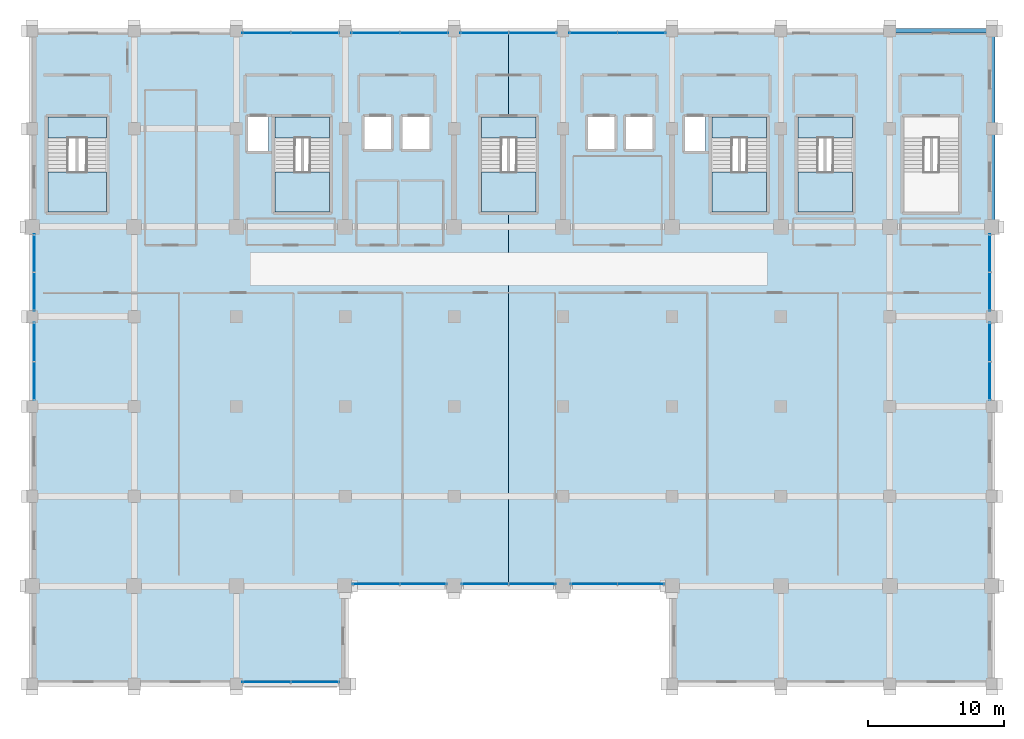
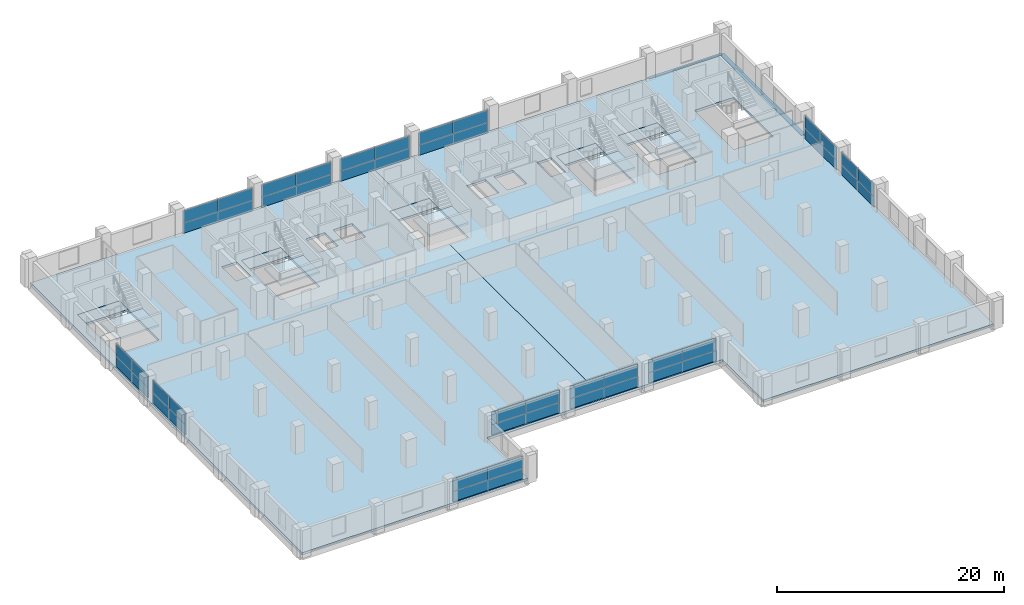
# One storey, part 15 of 22: 36 plates, 12 slabs, 3 beams, 17 elements without a shape of their own.
"""IFC4 building model written with IfcOpenShell, lengths in metres."""

from ifc_helpers import new_model, si_unit, direction, frame, origin, origin_2d, place, context, subcontext, project, spatial, polyline, rectangle, outline, extrude, material, layer, layer_set, material_profile, profile_set, type_object, element, aggregate, save


model = new_model("IFC4")

# Units and contexts
model_context = context("Model", 3, precision=1e-05, world=origin(), true_north=direction((0.0, 1.0)))
body_context = subcontext(model_context, "Body", "Model", "MODEL_VIEW")
ifc_project = project(units=[si_unit("LENGTHUNIT", "METRE"), si_unit("AREAUNIT", "SQUARE_METRE"), si_unit("VOLUMEUNIT", "CUBIC_METRE"), si_unit("PLANEANGLEUNIT", "RADIAN"), si_unit("MASSUNIT", "GRAM", prefix="KILO")], contexts=[model_context])

# Site, building, storey
site_placement = place(None, origin())
site = spatial("IfcSite", under=ifc_project, at=site_placement, CompositionType="ELEMENT")
building_placement = place(site_placement, origin())
building = spatial("IfcBuilding", under=site, at=building_placement, Name="Akrevak Sports Hall", CompositionType="ELEMENT")
storey_placement = place(building_placement, frame((0.0, 0.0, 30.800048828125)))
storey = spatial("IfcBuildingStorey", under=building, at=storey_placement, Name="L06", CompositionType="ELEMENT", Elevation=30.800048828125)

# Beams
ifc_material_1 = material(Name="Concrete C40/50", Category="concrete")
ifc_material_profile_1 = material_profile(ifc_material_1, rectangle(XDim=0.449951171875, YDim=0.699951171875, at=origin_2d()), Name="BM 450x700", Category="concrete")
ifc_profile_set_1 = profile_set([ifc_material_profile_1], Name="Concrete C40/50")
beam_type_1 = type_object("IfcBeamType", Name="STR-BM-RC450x700", PredefinedType="BEAM", material=ifc_profile_set_1)
beam_1_placement = place(storey_placement, frame((115.5, 55.199951171875, -0.35009765625), z_axis=(0.0, 1.0, 0.0), x_axis=(-1.0, 0.0, 0.0)))
element("IfcBeam", 1, at=beam_1_placement, inside=storey, type_object=beam_type_1, Name="Girder 16/I-J (L06)", PredefinedType="BEAM", context=body_context, shape_type="SweptSolid", body=[
    extrude(rectangle(XDim=0.449951171875, YDim=0.699951171875, at=origin_2d()), origin(), (0.0, 0.0, 1.0), 7.199951171875),
])
beam_2_placement = place(storey_placement, frame((115.5, 62.39990234375, -0.35009765625), z_axis=(0.0, 1.0, 0.0), x_axis=(-1.0, 0.0, 0.0)))
element("IfcBeam", 2, at=beam_2_placement, inside=storey, type_object=beam_type_1, Name="Girder 16/J-K (L06)", PredefinedType="BEAM", context=body_context, shape_type="SweptSolid", body=[
    extrude(rectangle(XDim=0.449951171875, YDim=0.699951171875, at=origin_2d()), origin(), (0.0, 0.0, 1.0), 7.2001953125),
])
ifc_material_profile_2 = material_profile(ifc_material_1, rectangle(XDim=0.320068359375, YDim=0.679931640625, at=origin_2d()), Name="SPD 320x680", Category="concrete")
ifc_profile_set_2 = profile_set([ifc_material_profile_2], Name="Concrete C40/50")
beam_type_2 = type_object("IfcBeamType", Name="STR-SPD-RC320x680", PredefinedType="SPANDREL", material=ifc_profile_set_2)
beam_3_placement = place(storey_placement, frame((108.0, 69.60009765625, -0.340087890625), z_axis=(1.0, 0.0, 0.0), x_axis=(0.0, 1.0, 0.0)))
element("IfcBeam", 3, at=beam_3_placement, inside=storey, type_object=beam_type_2, Name="Girder K/15-16 (L06)", PredefinedType="SPANDREL", context=body_context, shape_type="SweptSolid", body=[
    extrude(rectangle(XDim=0.320068359375, YDim=0.679931640625, at=origin_2d()), origin(), (0.0, 0.0, 1.0), 7.5),
])

# Curtain wall, plates
ifc_material_2 = material(Name="Anodized Bronze Aluminium & Low-E Glass", Category="aluminium")
curtain_wall_type = type_object("IfcCurtainWallType", Name="ARC-CW-TWR-64x30", PredefinedType="NOTDEFINED", material=ifc_material_2)
curtain_wall_1_placement = place(storey_placement, origin())
curtain_wall_1 = element("IfcCurtainWall", 4, at=curtain_wall_1_placement, inside=storey, type_object=curtain_wall_type, Name="Curtain Wall CW-L06-S03", PredefinedType="NOTDEFINED")
ifc_material_3 = material(Name="Double Low-E Tempered Glass", Category="glass")
ifc_layer_1 = layer(ifc_material_3, 0.031982421875, Name="Double Low-E Tempered Glass")
ifc_layer_set_1 = layer_set([ifc_layer_1], Name="Double Low-E Tempered Glass")
plate_type_1 = type_object("IfcPlateType", Name="ARC-CWP-GLZ-32", PredefinedType="CURTAIN_PANEL", material=ifc_layer_set_1)
plate_1_placement = place(storey_placement, frame((62.22509765625, 21.760009765625, 1.099853515625), z_axis=(0.0, 0.0, 1.0), x_axis=(1.0, 0.0, 0.0)))
plate_1 = element("IfcPlate", 5, at=plate_1_placement, type_object=plate_type_1, Name="Vision Glass Panel CW-L06-S03-G1", PredefinedType="CURTAIN_PANEL", context=body_context, shape_type="SweptSolid", body=[
    extrude(rectangle(XDim=3.550048828125, YDim=0.035888671875, at=origin_2d()), origin(), (0.0, 0.0, 1.0), 1.35009765625),
])
plate_2_placement = place(storey_placement, frame((65.77490234375, 21.760009765625, 1.099853515625), z_axis=(0.0, 0.0, 1.0), x_axis=(1.0, 0.0, 0.0)))
plate_2 = element("IfcPlate", 6, at=plate_2_placement, type_object=plate_type_1, Name="Vision Glass Panel CW-L06-S03-G2", PredefinedType="CURTAIN_PANEL", context=body_context, shape_type="SweptSolid", body=[
    extrude(rectangle(XDim=3.550048828125, YDim=0.035888671875, at=origin_2d()), origin(), (0.0, 0.0, 1.0), 1.35009765625),
])

curtain_wall_2_placement = place(storey_placement, origin())
curtain_wall_2 = element("IfcCurtainWall", 7, at=curtain_wall_2_placement, inside=storey, type_object=curtain_wall_type, Name="Curtain Wall CW-L06-S05", PredefinedType="NOTDEFINED")
plate_3_placement = place(storey_placement, frame((70.27490234375, 28.9599609375, 1.099853515625), z_axis=(0.0, 0.0, 1.0), x_axis=(1.0, 0.0, 0.0)))
plate_3 = element("IfcPlate", 8, at=plate_3_placement, type_object=plate_type_1, Name="Vision Glass Panel CW-L06-S05-G1", PredefinedType="CURTAIN_PANEL", context=body_context, shape_type="SweptSolid", body=[
    extrude(rectangle(XDim=3.449951171875, YDim=0.035888671875, at=origin_2d()), origin(), (0.0, 0.0, 1.0), 1.35009765625),
])
plate_4_placement = place(storey_placement, frame((73.72509765625, 28.9599609375, 1.099853515625), z_axis=(0.0, 0.0, 1.0), x_axis=(1.0, 0.0, 0.0)))
plate_4 = element("IfcPlate", 9, at=plate_4_placement, type_object=plate_type_1, Name="Vision Glass Panel CW-L06-S05-G2", PredefinedType="CURTAIN_PANEL", context=body_context, shape_type="SweptSolid", body=[
    extrude(rectangle(XDim=3.449951171875, YDim=0.035888671875, at=origin_2d()), origin(), (0.0, 0.0, 1.0), 1.35009765625),
])

curtain_wall_3_placement = place(storey_placement, origin())
curtain_wall_3 = element("IfcCurtainWall", 10, at=curtain_wall_3_placement, inside=storey, type_object=curtain_wall_type, Name="Curtain Wall CW-L06-S06", PredefinedType="NOTDEFINED")
plate_5_placement = place(storey_placement, frame((78.27490234375, 28.9599609375, 1.099853515625), z_axis=(0.0, 0.0, 1.0), x_axis=(1.0, 0.0, 0.0)))
plate_5 = element("IfcPlate", 11, at=plate_5_placement, type_object=plate_type_1, Name="Vision Glass Panel CW-L06-S06-G1", PredefinedType="CURTAIN_PANEL", context=body_context, shape_type="SweptSolid", body=[
    extrude(rectangle(XDim=3.449951171875, YDim=0.035888671875, at=origin_2d()), origin(), (0.0, 0.0, 1.0), 1.35009765625),
])
plate_6_placement = place(storey_placement, frame((81.72509765625, 28.9599609375, 1.099853515625), z_axis=(0.0, 0.0, 1.0), x_axis=(1.0, 0.0, 0.0)))
plate_6 = element("IfcPlate", 12, at=plate_6_placement, type_object=plate_type_1, Name="Vision Glass Panel CW-L06-S06-G2", PredefinedType="CURTAIN_PANEL", context=body_context, shape_type="SweptSolid", body=[
    extrude(rectangle(XDim=3.449951171875, YDim=0.035888671875, at=origin_2d()), origin(), (0.0, 0.0, 1.0), 1.35009765625),
])

curtain_wall_4_placement = place(storey_placement, origin())
curtain_wall_4 = element("IfcCurtainWall", 13, at=curtain_wall_4_placement, inside=storey, type_object=curtain_wall_type, Name="Curtain Wall CW-L06-S07", PredefinedType="NOTDEFINED")
plate_7_placement = place(storey_placement, frame((86.27490234375, 28.9599609375, 1.099853515625), z_axis=(0.0, 0.0, 1.0), x_axis=(1.0, 0.0, 0.0)))
plate_7 = element("IfcPlate", 14, at=plate_7_placement, type_object=plate_type_1, Name="Vision Glass Panel CW-L06-S07-G1", PredefinedType="CURTAIN_PANEL", context=body_context, shape_type="SweptSolid", body=[
    extrude(rectangle(XDim=3.449951171875, YDim=0.035888671875, at=origin_2d()), origin(), (0.0, 0.0, 1.0), 1.35009765625),
])
plate_8_placement = place(storey_placement, frame((89.72509765625, 28.9599609375, 1.099853515625), z_axis=(0.0, 0.0, 1.0), x_axis=(1.0, 0.0, 0.0)))
plate_8 = element("IfcPlate", 15, at=plate_8_placement, type_object=plate_type_1, Name="Vision Glass Panel CW-L06-S07-G2", PredefinedType="CURTAIN_PANEL", context=body_context, shape_type="SweptSolid", body=[
    extrude(rectangle(XDim=3.449951171875, YDim=0.035888671875, at=origin_2d()), origin(), (0.0, 0.0, 1.0), 1.35009765625),
])

curtain_wall_5_placement = place(storey_placement, origin())
curtain_wall_5 = element("IfcCurtainWall", 16, at=curtain_wall_5_placement, inside=storey, type_object=curtain_wall_type, Name="Curtain Wall CW-L06-E15", PredefinedType="NOTDEFINED")
plate_9_placement = place(storey_placement, frame((115.340087890625, 43.875, 1.099853515625), z_axis=(0.0, 0.0, 1.0), x_axis=(0.0, 1.0, 0.0)))
plate_9 = element("IfcPlate", 17, at=plate_9_placement, type_object=plate_type_1, Name="Vision Glass Panel CW-L06-E15-G1", PredefinedType="CURTAIN_PANEL", context=body_context, shape_type="SweptSolid", body=[
    extrude(rectangle(XDim=2.85009765625, YDim=0.035888671875, at=origin_2d()), origin(), (0.0, 0.0, 1.0), 1.35009765625),
])
plate_10_placement = place(storey_placement, frame((115.340087890625, 46.72509765625, 1.099853515625), z_axis=(0.0, 0.0, 1.0), x_axis=(0.0, 1.0, 0.0)))
plate_10 = element("IfcPlate", 18, at=plate_10_placement, type_object=plate_type_1, Name="Vision Glass Panel CW-L06-E15-G2", PredefinedType="CURTAIN_PANEL", context=body_context, shape_type="SweptSolid", body=[
    extrude(rectangle(XDim=2.85009765625, YDim=0.035888671875, at=origin_2d()), origin(), (0.0, 0.0, 1.0), 1.35009765625),
])

curtain_wall_6_placement = place(storey_placement, origin())
curtain_wall_6 = element("IfcCurtainWall", 19, at=curtain_wall_6_placement, inside=storey, type_object=curtain_wall_type, Name="Curtain Wall CW-L06-E16", PredefinedType="NOTDEFINED")
plate_11_placement = place(storey_placement, frame((115.340087890625, 50.449951171875, 1.099853515625), z_axis=(0.0, 0.0, 1.0), x_axis=(0.0, 1.0, 0.0)))
plate_11 = element("IfcPlate", 20, at=plate_11_placement, type_object=plate_type_1, Name="Vision Glass Panel CW-L06-E16-G1", PredefinedType="CURTAIN_PANEL", context=body_context, shape_type="SweptSolid", body=[
    extrude(rectangle(XDim=2.800048828125, YDim=0.035888671875, at=origin_2d()), origin(), (0.0, 0.0, 1.0), 1.35009765625),
])
plate_12_placement = place(storey_placement, frame((115.340087890625, 53.25, 1.099853515625), z_axis=(0.0, 0.0, 1.0), x_axis=(0.0, 1.0, 0.0)))
plate_12 = element("IfcPlate", 21, at=plate_12_placement, type_object=plate_type_1, Name="Vision Glass Panel CW-L06-E16-G2", PredefinedType="CURTAIN_PANEL", context=body_context, shape_type="SweptSolid", body=[
    extrude(rectangle(XDim=2.800048828125, YDim=0.035888671875, at=origin_2d()), origin(), (0.0, 0.0, 1.0), 1.35009765625),
])

curtain_wall_7_placement = place(storey_placement, origin())
curtain_wall_7 = element("IfcCurtainWall", 22, at=curtain_wall_7_placement, inside=storey, type_object=curtain_wall_type, Name="Curtain Wall CW-L06-N22", PredefinedType="NOTDEFINED")
plate_13_placement = place(storey_placement, frame((89.77490234375, 69.43994140625, 1.099853515625), z_axis=(0.0, 0.0, 1.0), x_axis=(-1.0, 0.0, 0.0)))
plate_13 = element("IfcPlate", 23, at=plate_13_placement, type_object=plate_type_1, Name="Vision Glass Panel CW-L06-N22-G1", PredefinedType="CURTAIN_PANEL", context=body_context, shape_type="SweptSolid", body=[
    extrude(rectangle(XDim=3.550048828125, YDim=0.035888671875, at=origin_2d()), origin(), (0.0, 0.0, 1.0), 1.35009765625),
])
plate_14_placement = place(storey_placement, frame((86.22509765625, 69.43994140625, 1.099853515625), z_axis=(0.0, 0.0, 1.0), x_axis=(-1.0, 0.0, 0.0)))
plate_14 = element("IfcPlate", 24, at=plate_14_placement, type_object=plate_type_1, Name="Vision Glass Panel CW-L06-N22-G2", PredefinedType="CURTAIN_PANEL", context=body_context, shape_type="SweptSolid", body=[
    extrude(rectangle(XDim=3.550048828125, YDim=0.035888671875, at=origin_2d()), origin(), (0.0, 0.0, 1.0), 1.35009765625),
])

curtain_wall_8_placement = place(storey_placement, origin())
curtain_wall_8 = element("IfcCurtainWall", 25, at=curtain_wall_8_placement, inside=storey, type_object=curtain_wall_type, Name="Curtain Wall CW-L06-N23", PredefinedType="NOTDEFINED")
plate_15_placement = place(storey_placement, frame((81.77490234375, 69.43994140625, 1.099853515625), z_axis=(0.0, 0.0, 1.0), x_axis=(-1.0, 0.0, 0.0)))
plate_15 = element("IfcPlate", 26, at=plate_15_placement, type_object=plate_type_1, Name="Vision Glass Panel CW-L06-N23-G1", PredefinedType="CURTAIN_PANEL", context=body_context, shape_type="SweptSolid", body=[
    extrude(rectangle(XDim=3.550048828125, YDim=0.035888671875, at=origin_2d()), origin(), (0.0, 0.0, 1.0), 1.35009765625),
])
plate_16_placement = place(storey_placement, frame((78.22509765625, 69.43994140625, 1.099853515625), z_axis=(0.0, 0.0, 1.0), x_axis=(-1.0, 0.0, 0.0)))
plate_16 = element("IfcPlate", 27, at=plate_16_placement, type_object=plate_type_1, Name="Vision Glass Panel CW-L06-N23-G2", PredefinedType="CURTAIN_PANEL", context=body_context, shape_type="SweptSolid", body=[
    extrude(rectangle(XDim=3.550048828125, YDim=0.035888671875, at=origin_2d()), origin(), (0.0, 0.0, 1.0), 1.35009765625),
])

curtain_wall_9_placement = place(storey_placement, origin())
curtain_wall_9 = element("IfcCurtainWall", 28, at=curtain_wall_9_placement, inside=storey, type_object=curtain_wall_type, Name="Curtain Wall CW-L06-N24", PredefinedType="NOTDEFINED")
plate_17_placement = place(storey_placement, frame((73.77490234375, 69.43994140625, 1.099853515625), z_axis=(0.0, 0.0, 1.0), x_axis=(-1.0, 0.0, 0.0)))
plate_17 = element("IfcPlate", 29, at=plate_17_placement, type_object=plate_type_1, Name="Vision Glass Panel CW-L06-N24-G1", PredefinedType="CURTAIN_PANEL", context=body_context, shape_type="SweptSolid", body=[
    extrude(rectangle(XDim=3.550048828125, YDim=0.035888671875, at=origin_2d()), origin(), (0.0, 0.0, 1.0), 1.35009765625),
])
plate_18_placement = place(storey_placement, frame((70.22509765625, 69.43994140625, 1.099853515625), z_axis=(0.0, 0.0, 1.0), x_axis=(-1.0, 0.0, 0.0)))
plate_18 = element("IfcPlate", 30, at=plate_18_placement, type_object=plate_type_1, Name="Vision Glass Panel CW-L06-N24-G2", PredefinedType="CURTAIN_PANEL", context=body_context, shape_type="SweptSolid", body=[
    extrude(rectangle(XDim=3.550048828125, YDim=0.035888671875, at=origin_2d()), origin(), (0.0, 0.0, 1.0), 1.35009765625),
])

curtain_wall_10_placement = place(storey_placement, origin())
curtain_wall_10 = element("IfcCurtainWall", 31, at=curtain_wall_10_placement, inside=storey, type_object=curtain_wall_type, Name="Curtain Wall CW-L06-N25", PredefinedType="NOTDEFINED")
plate_19_placement = place(storey_placement, frame((65.77490234375, 69.43994140625, 1.099853515625), z_axis=(0.0, 0.0, 1.0), x_axis=(-1.0, 0.0, 0.0)))
plate_19 = element("IfcPlate", 32, at=plate_19_placement, type_object=plate_type_1, Name="Vision Glass Panel CW-L06-N25-G1", PredefinedType="CURTAIN_PANEL", context=body_context, shape_type="SweptSolid", body=[
    extrude(rectangle(XDim=3.550048828125, YDim=0.035888671875, at=origin_2d()), origin(), (0.0, 0.0, 1.0), 1.35009765625),
])
plate_20_placement = place(storey_placement, frame((62.22509765625, 69.43994140625, 1.099853515625), z_axis=(0.0, 0.0, 1.0), x_axis=(-1.0, 0.0, 0.0)))
plate_20 = element("IfcPlate", 33, at=plate_20_placement, type_object=plate_type_1, Name="Vision Glass Panel CW-L06-N25-G2", PredefinedType="CURTAIN_PANEL", context=body_context, shape_type="SweptSolid", body=[
    extrude(rectangle(XDim=3.550048828125, YDim=0.035888671875, at=origin_2d()), origin(), (0.0, 0.0, 1.0), 1.35009765625),
])

curtain_wall_11_placement = place(storey_placement, origin())
curtain_wall_11 = element("IfcCurtainWall", 34, at=curtain_wall_11_placement, inside=storey, type_object=curtain_wall_type, Name="Curtain Wall CW-L06-W30", PredefinedType="NOTDEFINED")
plate_21_placement = place(storey_placement, frame((45.159912109375, 53.25, 1.099853515625), z_axis=(0.0, 0.0, 1.0), x_axis=(0.0, -1.0, 0.0)))
plate_21 = element("IfcPlate", 35, at=plate_21_placement, type_object=plate_type_1, Name="Vision Glass Panel CW-L06-W30-G1", PredefinedType="CURTAIN_PANEL", context=body_context, shape_type="SweptSolid", body=[
    extrude(rectangle(XDim=2.800048828125, YDim=0.035888671875, at=origin_2d()), origin(), (0.0, 0.0, 1.0), 1.35009765625),
])
plate_22_placement = place(storey_placement, frame((45.159912109375, 50.449951171875, 1.099853515625), z_axis=(0.0, 0.0, 1.0), x_axis=(0.0, -1.0, 0.0)))
plate_22 = element("IfcPlate", 36, at=plate_22_placement, type_object=plate_type_1, Name="Vision Glass Panel CW-L06-W30-G2", PredefinedType="CURTAIN_PANEL", context=body_context, shape_type="SweptSolid", body=[
    extrude(rectangle(XDim=2.800048828125, YDim=0.035888671875, at=origin_2d()), origin(), (0.0, 0.0, 1.0), 1.35009765625),
])

curtain_wall_12_placement = place(storey_placement, origin())
curtain_wall_12 = element("IfcCurtainWall", 37, at=curtain_wall_12_placement, inside=storey, type_object=curtain_wall_type, Name="Curtain Wall CW-L06-W31", PredefinedType="NOTDEFINED")
plate_23_placement = place(storey_placement, frame((45.159912109375, 46.72509765625, 1.099853515625), z_axis=(0.0, 0.0, 1.0), x_axis=(0.0, -1.0, 0.0)))
plate_23 = element("IfcPlate", 38, at=plate_23_placement, type_object=plate_type_1, Name="Vision Glass Panel CW-L06-W31-G1", PredefinedType="CURTAIN_PANEL", context=body_context, shape_type="SweptSolid", body=[
    extrude(rectangle(XDim=2.85009765625, YDim=0.035888671875, at=origin_2d()), origin(), (0.0, 0.0, 1.0), 1.35009765625),
])
plate_24_placement = place(storey_placement, frame((45.159912109375, 43.875, 1.099853515625), z_axis=(0.0, 0.0, 1.0), x_axis=(0.0, -1.0, 0.0)))
plate_24 = element("IfcPlate", 39, at=plate_24_placement, type_object=plate_type_1, Name="Vision Glass Panel CW-L06-W31-G2", PredefinedType="CURTAIN_PANEL", context=body_context, shape_type="SweptSolid", body=[
    extrude(rectangle(XDim=2.85009765625, YDim=0.035888671875, at=origin_2d()), origin(), (0.0, 0.0, 1.0), 1.35009765625),
])

# Plate
ifc_material_4 = material(Name="Insulated Bronze Spandrel Panel", Category="aluminium")
ifc_layer_2 = layer(ifc_material_4, 0.0400390625, Name="Insulated Bronze Spandrel Panel")
ifc_layer_set_2 = layer_set([ifc_layer_2], Name="Insulated Bronze Spandrel Panel")
plate_type_2 = type_object("IfcPlateType", Name="ARC-CWP-SPD-40", PredefinedType="CURTAIN_PANEL", material=ifc_layer_set_2)
plate_25_placement = place(storey_placement, frame((64.0, 21.760009765625, 0.0), z_axis=(0.0, 0.0, 1.0), x_axis=(1.0, 0.0, 0.0)))
plate_25 = element("IfcPlate", 40, at=plate_25_placement, type_object=plate_type_2, Name="Insulated Spandrel Panel CW-L06-S03-S1", PredefinedType="CURTAIN_PANEL", context=body_context, shape_type="SweptSolid", body=[
    extrude(rectangle(XDim=7.10009765625, YDim=0.0439453125, at=origin_2d()), origin(), (0.0, 0.0, 1.0), 1.10009765625),
])

aggregate(curtain_wall_1, [plate_1, plate_2, plate_25])

plate_26_placement = place(storey_placement, frame((72.0, 28.9599609375, 0.0), z_axis=(0.0, 0.0, 1.0), x_axis=(1.0, 0.0, 0.0)))
plate_26 = element("IfcPlate", 41, at=plate_26_placement, type_object=plate_type_2, Name="Insulated Spandrel Panel CW-L06-S05-S1", PredefinedType="CURTAIN_PANEL", context=body_context, shape_type="SweptSolid", body=[
    extrude(rectangle(XDim=6.89990234375, YDim=0.0439453125, at=origin_2d()), origin(), (0.0, 0.0, 1.0), 1.10009765625),
])

aggregate(curtain_wall_2, [plate_3, plate_4, plate_26])

plate_27_placement = place(storey_placement, frame((80.0, 28.9599609375, 0.0), z_axis=(0.0, 0.0, 1.0), x_axis=(1.0, 0.0, 0.0)))
plate_27 = element("IfcPlate", 42, at=plate_27_placement, type_object=plate_type_2, Name="Insulated Spandrel Panel CW-L06-S06-S1", PredefinedType="CURTAIN_PANEL", context=body_context, shape_type="SweptSolid", body=[
    extrude(rectangle(XDim=6.89990234375, YDim=0.0439453125, at=origin_2d()), origin(), (0.0, 0.0, 1.0), 1.10009765625),
])

aggregate(curtain_wall_3, [plate_5, plate_6, plate_27])

plate_28_placement = place(storey_placement, frame((88.0, 28.9599609375, 0.0), z_axis=(0.0, 0.0, 1.0), x_axis=(1.0, 0.0, 0.0)))
plate_28 = element("IfcPlate", 43, at=plate_28_placement, type_object=plate_type_2, Name="Insulated Spandrel Panel CW-L06-S07-S1", PredefinedType="CURTAIN_PANEL", context=body_context, shape_type="SweptSolid", body=[
    extrude(rectangle(XDim=6.89990234375, YDim=0.0439453125, at=origin_2d()), origin(), (0.0, 0.0, 1.0), 1.10009765625),
])

aggregate(curtain_wall_4, [plate_7, plate_8, plate_28])

plate_29_placement = place(storey_placement, frame((115.340087890625, 45.300048828125, 0.0), z_axis=(0.0, 0.0, 1.0), x_axis=(0.0, 1.0, 0.0)))
plate_29 = element("IfcPlate", 44, at=plate_29_placement, type_object=plate_type_2, Name="Insulated Spandrel Panel CW-L06-E15-S1", PredefinedType="CURTAIN_PANEL", context=body_context, shape_type="SweptSolid", body=[
    extrude(rectangle(XDim=5.699951171875, YDim=0.0439453125, at=origin_2d()), origin(), (0.0, 0.0, 1.0), 1.10009765625),
])

aggregate(curtain_wall_5, [plate_9, plate_10, plate_29])

plate_30_placement = place(storey_placement, frame((115.340087890625, 51.85009765625, 0.0), z_axis=(0.0, 0.0, 1.0), x_axis=(0.0, 1.0, 0.0)))
plate_30 = element("IfcPlate", 45, at=plate_30_placement, type_object=plate_type_2, Name="Insulated Spandrel Panel CW-L06-E16-S1", PredefinedType="CURTAIN_PANEL", context=body_context, shape_type="SweptSolid", body=[
    extrude(rectangle(XDim=5.60009765625, YDim=0.0439453125, at=origin_2d()), origin(), (0.0, 0.0, 1.0), 1.10009765625),
])

aggregate(curtain_wall_6, [plate_11, plate_12, plate_30])

plate_31_placement = place(storey_placement, frame((88.0, 69.43994140625, 0.0), z_axis=(0.0, 0.0, 1.0), x_axis=(-1.0, 0.0, 0.0)))
plate_31 = element("IfcPlate", 46, at=plate_31_placement, type_object=plate_type_2, Name="Insulated Spandrel Panel CW-L06-N22-S1", PredefinedType="CURTAIN_PANEL", context=body_context, shape_type="SweptSolid", body=[
    extrude(rectangle(XDim=7.10009765625, YDim=0.0439453125, at=origin_2d()), origin(), (0.0, 0.0, 1.0), 1.10009765625),
])

aggregate(curtain_wall_7, [plate_13, plate_14, plate_31])

plate_32_placement = place(storey_placement, frame((80.0, 69.43994140625, 0.0), z_axis=(0.0, 0.0, 1.0), x_axis=(-1.0, 0.0, 0.0)))
plate_32 = element("IfcPlate", 47, at=plate_32_placement, type_object=plate_type_2, Name="Insulated Spandrel Panel CW-L06-N23-S1", PredefinedType="CURTAIN_PANEL", context=body_context, shape_type="SweptSolid", body=[
    extrude(rectangle(XDim=7.10009765625, YDim=0.0439453125, at=origin_2d()), origin(), (0.0, 0.0, 1.0), 1.10009765625),
])

aggregate(curtain_wall_8, [plate_15, plate_16, plate_32])

plate_33_placement = place(storey_placement, frame((72.0, 69.43994140625, 0.0), z_axis=(0.0, 0.0, 1.0), x_axis=(-1.0, 0.0, 0.0)))
plate_33 = element("IfcPlate", 48, at=plate_33_placement, type_object=plate_type_2, Name="Insulated Spandrel Panel CW-L06-N24-S1", PredefinedType="CURTAIN_PANEL", context=body_context, shape_type="SweptSolid", body=[
    extrude(rectangle(XDim=7.10009765625, YDim=0.0439453125, at=origin_2d()), origin(), (0.0, 0.0, 1.0), 1.10009765625),
])

aggregate(curtain_wall_9, [plate_17, plate_18, plate_33])

plate_34_placement = place(storey_placement, frame((64.0, 69.43994140625, 0.0), z_axis=(0.0, 0.0, 1.0), x_axis=(-1.0, 0.0, 0.0)))
plate_34 = element("IfcPlate", 49, at=plate_34_placement, type_object=plate_type_2, Name="Insulated Spandrel Panel CW-L06-N25-S1", PredefinedType="CURTAIN_PANEL", context=body_context, shape_type="SweptSolid", body=[
    extrude(rectangle(XDim=7.10009765625, YDim=0.0439453125, at=origin_2d()), origin(), (0.0, 0.0, 1.0), 1.10009765625),
])

aggregate(curtain_wall_10, [plate_19, plate_20, plate_34])

plate_35_placement = place(storey_placement, frame((45.159912109375, 51.85009765625, 0.0), z_axis=(0.0, 0.0, 1.0), x_axis=(0.0, -1.0, 0.0)))
plate_35 = element("IfcPlate", 50, at=plate_35_placement, type_object=plate_type_2, Name="Insulated Spandrel Panel CW-L06-W30-S1", PredefinedType="CURTAIN_PANEL", context=body_context, shape_type="SweptSolid", body=[
    extrude(rectangle(XDim=5.60009765625, YDim=0.0439453125, at=origin_2d()), origin(), (0.0, 0.0, 1.0), 1.10009765625),
])

aggregate(curtain_wall_11, [plate_21, plate_22, plate_35])

plate_36_placement = place(storey_placement, frame((45.159912109375, 45.300048828125, 0.0), z_axis=(0.0, 0.0, 1.0), x_axis=(0.0, -1.0, 0.0)))
plate_36 = element("IfcPlate", 51, at=plate_36_placement, type_object=plate_type_2, Name="Insulated Spandrel Panel CW-L06-W31-S1", PredefinedType="CURTAIN_PANEL", context=body_context, shape_type="SweptSolid", body=[
    extrude(rectangle(XDim=5.699951171875, YDim=0.0439453125, at=origin_2d()), origin(), (0.0, 0.0, 1.0), 1.10009765625),
])

aggregate(curtain_wall_12, [plate_23, plate_24, plate_36])

# Slabs
ifc_layer_3 = layer(ifc_material_1, 0.260009765625, Name="Concrete C40/50")
ifc_layer_set_3 = layer_set([ifc_layer_3], Name="Concrete C40/50")
slab_type_1 = type_object("IfcSlabType", Name="STR-SLB-FLR-260", PredefinedType="FLOOR", material=ifc_layer_set_3)
slab_1_placement = place(storey_placement, frame((0.0, 0.0, -0.260009765625)))
element("IfcSlab", 52, at=slab_1_placement, inside=storey, type_object=slab_type_1, Name="Structural Floor Slab L06-1.1", PredefinedType="FLOOR", context=body_context, shape_type="SweptSolid", body=[
    extrude(outline(polyline([(45.0, 69.60009765625), (45.0, 21.60009765625), (68.0, 21.60009765625), (68.0, 28.800048828125), (80.0, 28.800048828125), (80.0, 56.300048828125), (78.0, 56.300048828125), (78.0, 63.25), (80.0, 63.25), (80.0, 69.60009765625), (45.0, 69.60009765625)]), holes=[polyline([(46.14990234375, 63.25), (50.449951171875, 63.25), (50.449951171875, 56.300048828125), (46.14990234375, 56.300048828125), (46.14990234375, 63.25)]), polyline([(66.85009765625, 63.25), (66.85009765625, 56.300048828125), (62.85009765625, 56.300048828125), (62.85009765625, 63.25), (66.85009765625, 63.25)]), polyline([(60.8701171875, 63.280029296875), (62.3798828125, 63.280029296875), (62.3798828125, 60.77001953125), (60.8701171875, 60.77001953125), (60.8701171875, 63.280029296875)]), polyline([(71.3798828125, 63.280029296875), (71.3798828125, 60.919921875), (69.419921875, 60.919921875), (69.419921875, 63.280029296875), (71.3798828125, 63.280029296875)]), polyline([(74.179931640625, 63.280029296875), (74.179931640625, 60.919921875), (72.219970703125, 60.919921875), (72.219970703125, 63.280029296875), (74.179931640625, 63.280029296875)])]), origin(), (0.0, 0.0, 1.0), 0.260009765625),
])
slab_2_placement = place(storey_placement, frame((0.0, 0.0, -0.260009765625)))
element("IfcSlab", 53, at=slab_2_placement, inside=storey, type_object=slab_type_1, Name="Structural Floor Slab L06-2.1", PredefinedType="FLOOR", context=body_context, shape_type="SweptSolid", body=[
    extrude(outline(polyline([(80.0, 69.60009765625), (80.0, 63.25), (82.0, 63.25), (82.0, 56.300048828125), (80.0, 56.300048828125), (80.0, 28.800048828125), (92.0, 28.800048828125), (92.0, 21.60009765625), (115.5, 21.60009765625), (115.5, 69.60009765625), (80.0, 69.60009765625)]), holes=[polyline([(94.949951171875, 63.25), (98.949951171875, 63.25), (98.949951171875, 56.300048828125), (94.949951171875, 56.300048828125), (94.949951171875, 63.25)]), polyline([(105.25, 63.25), (105.25, 56.300048828125), (101.25, 56.300048828125), (101.25, 63.25), (105.25, 63.25)]), polyline([(113.050048828125, 63.25), (113.050048828125, 56.300048828125), (109.050048828125, 56.300048828125), (109.050048828125, 63.25), (113.050048828125, 63.25)]), polyline([(92.969970703125, 63.280029296875), (94.47998046875, 63.280029296875), (94.47998046875, 60.77001953125), (92.969970703125, 60.77001953125), (92.969970703125, 63.280029296875)]), polyline([(87.780029296875, 63.280029296875), (87.780029296875, 60.919921875), (85.820068359375, 60.919921875), (85.820068359375, 63.280029296875), (87.780029296875, 63.280029296875)]), polyline([(90.580078125, 63.280029296875), (90.580078125, 60.919921875), (88.6201171875, 60.919921875), (88.6201171875, 63.280029296875), (90.580078125, 63.280029296875)])]), origin(), (0.0, 0.0, 1.0), 0.260009765625),
])

# Stair, slab
stair_type_1 = type_object("IfcStairType", Name="ARC-STR-DOG-325", PredefinedType="HALF_TURN_STAIR", material=ifc_material_1)
stair_1_placement = place(storey_placement, origin())
stair_1 = element("IfcStair", 54, at=stair_1_placement, inside=storey, type_object=stair_type_1, Name="Protected Exit Stair ST1 (L06 to L07)", PredefinedType="HALF_TURN_STAIR")
ifc_layer_4 = layer(ifc_material_1, 0.199951171875, Name="Concrete C40/50")
ifc_layer_set_4 = layer_set([ifc_layer_4], Name="Concrete C40/50")
slab_type_2 = type_object("IfcSlabType", Name="STR-SLB-LAND-200", PredefinedType="LANDING", material=ifc_layer_set_4)
slab_3_placement = place(storey_placement, frame((0.0, 0.0, 1.425048828125)))
slab_3 = element("IfcSlab", 55, at=slab_3_placement, type_object=slab_type_2, Name="Stair ST1 Half-Landing 1 (L06)", PredefinedType="LANDING", context=body_context, shape_type="SweptSolid", body=[
    extrude(outline(polyline([(62.85009765625, 56.300048828125), (66.85009765625, 56.300048828125), (66.85009765625, 59.215087890625), (62.85009765625, 59.215087890625), (62.85009765625, 56.300048828125)])), origin(), (0.0, 0.0, 1.0), 0.199951171875),
])
aggregate(stair_1, [slab_3])

stair_2_placement = place(storey_placement, origin())
stair_2 = element("IfcStair", 56, at=stair_2_placement, inside=storey, type_object=stair_type_1, Name="Protected Exit Stair ST2 (L06 to L07)", PredefinedType="HALF_TURN_STAIR")
slab_4_placement = place(storey_placement, frame((0.0, 0.0, 1.425048828125)))
slab_4 = element("IfcSlab", 57, at=slab_4_placement, type_object=slab_type_2, Name="Stair ST2 Half-Landing 1 (L06)", PredefinedType="LANDING", context=body_context, shape_type="SweptSolid", body=[
    extrude(outline(polyline([(94.949951171875, 56.300048828125), (98.949951171875, 56.300048828125), (98.949951171875, 59.215087890625), (94.949951171875, 59.215087890625), (94.949951171875, 56.300048828125)])), origin(), (0.0, 0.0, 1.0), 0.199951171875),
])
aggregate(stair_2, [slab_4])

stair_3_placement = place(storey_placement, origin())
stair_3 = element("IfcStair", 58, at=stair_3_placement, inside=storey, type_object=stair_type_1, Name="Protected Exit Stair ST3 (L06 to L07)", PredefinedType="HALF_TURN_STAIR")
slab_5_placement = place(storey_placement, frame((0.0, 0.0, 1.425048828125)))
slab_5 = element("IfcSlab", 59, at=slab_5_placement, type_object=slab_type_2, Name="Stair ST3 Half-Landing 1 (L06)", PredefinedType="LANDING", context=body_context, shape_type="SweptSolid", body=[
    extrude(outline(polyline([(78.0, 56.300048828125), (82.0, 56.300048828125), (82.0, 59.215087890625), (78.0, 59.215087890625), (78.0, 56.300048828125)])), origin(), (0.0, 0.0, 1.0), 0.199951171875),
])
aggregate(stair_3, [slab_5])

stair_type_2 = type_object("IfcStairType", Name="ARC-STR-MDOG-325", PredefinedType="HALF_TURN_STAIR", material=ifc_material_1)
stair_4_placement = place(storey_placement, origin())
stair_4 = element("IfcStair", 60, at=stair_4_placement, inside=storey, type_object=stair_type_2, Name="Protected Exit Stair ST4 (L06 to L07)", PredefinedType="HALF_TURN_STAIR")
slab_6_placement = place(storey_placement, frame((0.0, 0.0, 1.425048828125)))
slab_6 = element("IfcSlab", 61, at=slab_6_placement, type_object=slab_type_2, Name="Stair ST4 Half-Landing 1 (L06)", PredefinedType="LANDING", context=body_context, shape_type="SweptSolid", body=[
    extrude(outline(polyline([(46.14990234375, 56.300048828125), (50.449951171875, 56.300048828125), (50.449951171875, 59.215087890625), (46.14990234375, 59.215087890625), (46.14990234375, 56.300048828125)])), origin(), (0.0, 0.0, 1.0), 0.199951171875),
])
aggregate(stair_4, [slab_6])

stair_5_placement = place(storey_placement, origin())
stair_5 = element("IfcStair", 62, at=stair_5_placement, inside=storey, type_object=stair_type_1, Name="East Wing Exit Stair ST10 (L06 to L07)", PredefinedType="HALF_TURN_STAIR")
slab_7_placement = place(storey_placement, frame((0.0, 0.0, 1.425048828125)))
slab_7 = element("IfcSlab", 63, at=slab_7_placement, type_object=slab_type_2, Name="Stair ST10 Half-Landing 1 (L06)", PredefinedType="LANDING", context=body_context, shape_type="SweptSolid", body=[
    extrude(outline(polyline([(101.25, 56.300048828125), (105.25, 56.300048828125), (105.25, 59.215087890625), (101.25, 59.215087890625), (101.25, 56.300048828125)])), origin(), (0.0, 0.0, 1.0), 0.199951171875),
])
aggregate(stair_5, [slab_7])

# Slabs
ifc_layer_5 = layer(ifc_material_1, 0.219970703125, Name="Concrete C40/50")
ifc_layer_set_5 = layer_set([ifc_layer_5], Name="Concrete C40/50")
slab_type_3 = type_object("IfcSlabType", Name="STR-SLB-LAND-220", PredefinedType="LANDING", material=ifc_layer_set_5)
slab_8_placement = place(storey_placement, frame((0.0, 0.0, -0.219970703125)))
element("IfcSlab", 64, at=slab_8_placement, inside=storey, type_object=slab_type_3, Name="Stair ST1 Floor Landing (L06)", PredefinedType="LANDING", context=body_context, shape_type="SweptSolid", body=[
    extrude(outline(polyline([(62.85009765625, 61.735107421875), (66.85009765625, 61.735107421875), (66.85009765625, 63.25), (62.85009765625, 63.25), (62.85009765625, 61.735107421875)])), origin(), (0.0, 0.0, 1.0), 0.219970703125),
])
slab_9_placement = place(storey_placement, frame((0.0, 0.0, -0.219970703125)))
element("IfcSlab", 65, at=slab_9_placement, inside=storey, type_object=slab_type_3, Name="Stair ST2 Floor Landing (L06)", PredefinedType="LANDING", context=body_context, shape_type="SweptSolid", body=[
    extrude(outline(polyline([(94.949951171875, 61.735107421875), (98.949951171875, 61.735107421875), (98.949951171875, 63.25), (94.949951171875, 63.25), (94.949951171875, 61.735107421875)])), origin(), (0.0, 0.0, 1.0), 0.219970703125),
])
slab_10_placement = place(storey_placement, frame((0.0, 0.0, -0.219970703125)))
element("IfcSlab", 66, at=slab_10_placement, inside=storey, type_object=slab_type_3, Name="Stair ST3 Floor Landing (L06)", PredefinedType="LANDING", context=body_context, shape_type="SweptSolid", body=[
    extrude(outline(polyline([(78.0, 61.735107421875), (82.0, 61.735107421875), (82.0, 63.25), (78.0, 63.25), (78.0, 61.735107421875)])), origin(), (0.0, 0.0, 1.0), 0.219970703125),
])
slab_11_placement = place(storey_placement, frame((0.0, 0.0, -0.219970703125)))
element("IfcSlab", 67, at=slab_11_placement, inside=storey, type_object=slab_type_3, Name="Stair ST4 Floor Landing (L06)", PredefinedType="LANDING", context=body_context, shape_type="SweptSolid", body=[
    extrude(outline(polyline([(46.14990234375, 61.735107421875), (50.449951171875, 61.735107421875), (50.449951171875, 63.25), (46.14990234375, 63.25), (46.14990234375, 61.735107421875)])), origin(), (0.0, 0.0, 1.0), 0.219970703125),
])
slab_12_placement = place(storey_placement, frame((0.0, 0.0, -0.219970703125)))
element("IfcSlab", 68, at=slab_12_placement, inside=storey, type_object=slab_type_3, Name="Stair ST10 Floor Landing (L06)", PredefinedType="LANDING", context=body_context, shape_type="SweptSolid", body=[
    extrude(outline(polyline([(101.25, 61.735107421875), (105.25, 61.735107421875), (105.25, 63.25), (101.25, 63.25), (101.25, 61.735107421875)])), origin(), (0.0, 0.0, 1.0), 0.219970703125),
])

save(model, "model.ifc")
